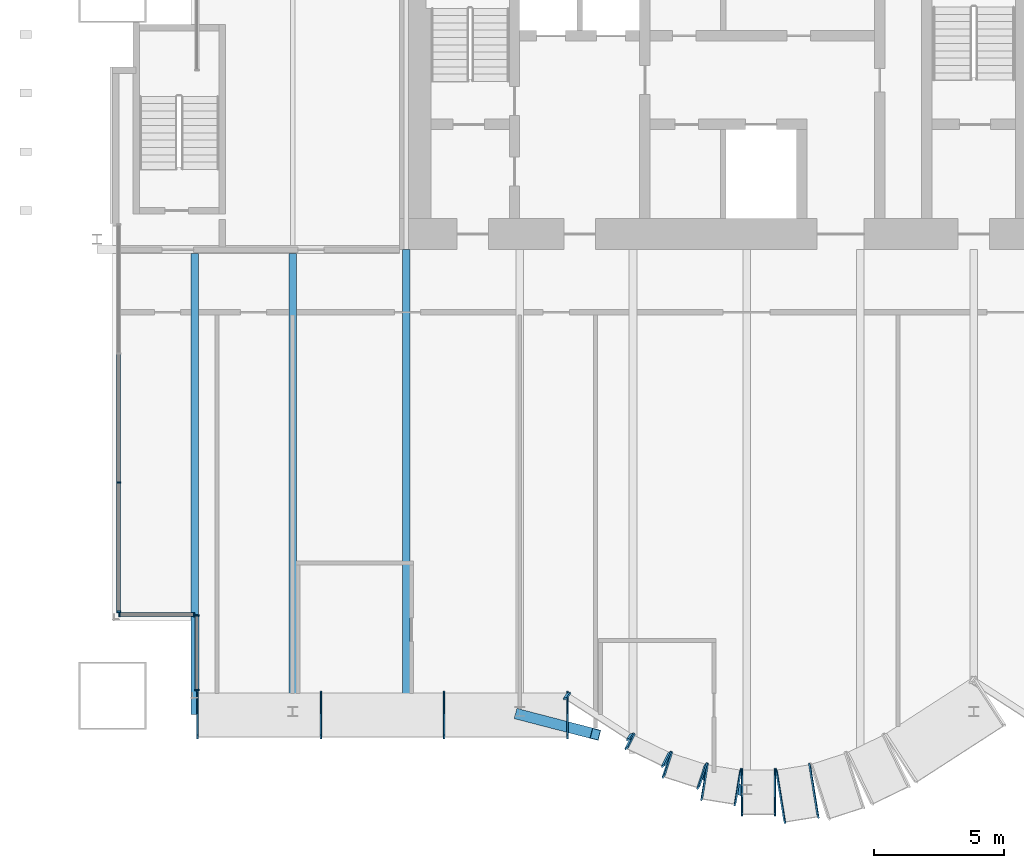
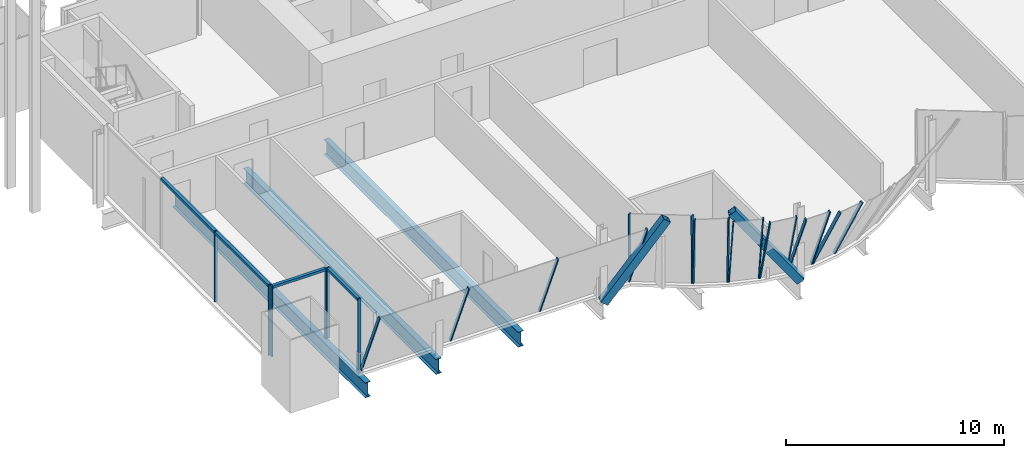
# One storey, part 5 of 29: 28 members, 3 beams, 10 elements without a shape of their own.
"""IFC4 building model written with IfcOpenShell, lengths in metres."""

from ifc_helpers import new_model, si_unit, direction, frame, origin, origin_2d, place, context, subcontext, project, spatial, rectangle, hollow_rectangle, i_section, extrude, material, material_profile, profile_set, type_object, element, aggregate, save


model = new_model("IFC4")

# Units and contexts
model_context = context("Model", 3, precision=1e-05, world=origin(), true_north=direction((0.0, 1.0)))
body_context = subcontext(model_context, "Body", "Model", "MODEL_VIEW")
ifc_project = project(units=[si_unit("LENGTHUNIT", "METRE"), si_unit("AREAUNIT", "SQUARE_METRE"), si_unit("VOLUMEUNIT", "CUBIC_METRE"), si_unit("PLANEANGLEUNIT", "RADIAN"), si_unit("MASSUNIT", "GRAM", prefix="KILO")], contexts=[model_context])

# Site, building, storey
site_placement = place(None, origin())
site = spatial("IfcSite", under=ifc_project, at=site_placement, CompositionType="ELEMENT")
building_placement = place(site_placement, origin())
building = spatial("IfcBuilding", under=site, at=building_placement, Name="Bicima Exchange Tower", CompositionType="ELEMENT")
storey_placement = place(building_placement, frame((0.0, 0.0, 190.89990234375)))
storey = spatial("IfcBuildingStorey", under=building, at=storey_placement, Name="L42", CompositionType="ELEMENT", Elevation=190.89990234375)

# Curtain wall, members
ifc_material_1 = material(Name="Anodised bronze aluminium", Category="aluminium")
curtain_wall_type_1 = type_object("IfcCurtainWallType", Name="End face glass wall", PredefinedType="NOTDEFINED", material=ifc_material_1)
curtain_wall_1_placement = place(storey_placement, origin())
curtain_wall_1 = element("IfcCurtainWall", 1, at=curtain_wall_1_placement, inside=storey, type_object=curtain_wall_type_1, Name="End face glass wall L42 run 6", PredefinedType="NOTDEFINED")
ifc_material_profile_1 = material_profile(ifc_material_1, rectangle(XDim=0.159912109375, YDim=0.06005859375, at=origin_2d()))
ifc_profile_set_1 = profile_set([ifc_material_profile_1], Name="Anodised bronze aluminium")
member_type_1 = type_object("IfcMemberType", Name="End face glass wall mullion 60 x 160", PredefinedType="MULLION", material=ifc_profile_set_1)
member_1_placement = place(storey_placement, frame((-32.77001953125, -21.92724609375, 0.0), z_axis=(0.0, 0.0, 1.0), x_axis=(1.0, 0.0, 0.0)))
member_1 = element("IfcMember", 2, at=member_1_placement, type_object=member_type_1, Name="End face glass wall mullion 3", PredefinedType="MULLION", context=body_context, shape_type="SweptSolid", body=[
    extrude(rectangle(XDim=0.159912109375, YDim=0.06005859375, at=origin_2d()), origin(), (0.0, 0.0, 1.0), 3.9501953125),
])
member_2_placement = place(storey_placement, frame((-32.77001953125, -26.8759765625, 0.0), z_axis=(0.0, 0.0, 1.0), x_axis=(1.0, 0.0, 0.0)))
member_2 = element("IfcMember", 3, at=member_2_placement, type_object=member_type_1, Name="End face glass wall mullion 4", PredefinedType="MULLION", context=body_context, shape_type="SweptSolid", body=[
    extrude(rectangle(XDim=0.159912109375, YDim=0.06005859375, at=origin_2d()), origin(), (0.0, 0.0, 1.0), 3.9501953125),
])
ifc_material_profile_2 = material_profile(ifc_material_1, rectangle(XDim=0.159912109375, YDim=0.139892578125, at=origin_2d()))
ifc_profile_set_2 = profile_set([ifc_material_profile_2], Name="Anodised bronze aluminium")
member_type_2 = type_object("IfcMemberType", Name="End face glass wall transom 140 x 160", PredefinedType="USERDEFINED", material=ifc_profile_set_2)
member_3_placement = place(storey_placement, frame((-32.77001953125, -17.0087890625, 3.880126953125), z_axis=(0.0, -1.0, 0.0), x_axis=(1.0, 0.0, 0.0)))
member_3 = element("IfcMember", 4, at=member_3_placement, type_object=member_type_2, Name="End face glass wall transom 2.1", ObjectType="TRANSOM", PredefinedType="USERDEFINED", context=body_context, shape_type="SweptSolid", body=[
    extrude(rectangle(XDim=0.159912109375, YDim=0.139892578125, at=origin_2d()), origin(), (0.0, 0.0, 1.0), 4.888427734375),
])
member_4_placement = place(storey_placement, frame((-32.77001953125, -21.957275390625, 3.880126953125), z_axis=(0.0, -1.0, 0.0), x_axis=(1.0, 0.0, 0.0)))
member_4 = element("IfcMember", 5, at=member_4_placement, type_object=member_type_2, Name="End face glass wall transom 3.1", ObjectType="TRANSOM", PredefinedType="USERDEFINED", context=body_context, shape_type="SweptSolid", body=[
    extrude(rectangle(XDim=0.159912109375, YDim=0.139892578125, at=origin_2d()), origin(), (0.0, 0.0, 1.0), 4.888671875),
])
aggregate(curtain_wall_1, [member_1, member_2, member_3, member_4])

# Beams
ifc_material_2 = material(Name="Steel ASTM A992 Gr 50", Category="steel")
ifc_material_profile_3 = material_profile(ifc_material_2, i_section(OverallWidth=0.2919921875, OverallDepth=0.835693359375, WebThickness=0.013916015625, FlangeThickness=0.018798828125, at=origin_2d()))
ifc_profile_set_3 = profile_set([ifc_material_profile_3], Name="Steel ASTM A992 Gr 50")
beam_type = type_object("IfcBeamType", Name="Floor beam W33x118", PredefinedType="JOIST", material=ifc_profile_set_3)
for number, where, z_axis, x_axis, name in (
    (6, (-29.85009765625, -13.15234375, -0.567626953125), (0.0, -1.0, 0.0), (1.0, 0.0, 0.0), "Floor beam"),
    (7, (-26.10009765625, -13.15234375, -0.567626953125), (0.0, -1.0, 0.0), (1.0, 0.0, 0.0), "Floor beam"),
):
    element("IfcBeam", number, at=place(storey_placement, frame(where, z_axis=z_axis, x_axis=x_axis)), inside=storey, type_object=beam_type, Name=name, PredefinedType="JOIST", context=body_context, shape_type="SweptSolid", body=[
        extrude(i_section(OverallWidth=0.2919921875, OverallDepth=0.835693359375, WebThickness=0.013916015625, FlangeThickness=0.018798828125, at=origin_2d()), origin(), (0.0, 0.0, 1.0), 17.66357421875),
    ])
beam_placement = place(storey_placement, frame((-21.75, -13.0, -0.567626953125), z_axis=(0.0, -1.0, 0.0), x_axis=(1.0, 0.0, 0.0)))
element("IfcBeam", 8, at=beam_placement, inside=storey, type_object=beam_type, Name="Floor beam", PredefinedType="JOIST", context=body_context, shape_type="SweptSolid", body=[
    extrude(i_section(OverallWidth=0.2919921875, OverallDepth=0.835693359375, WebThickness=0.013916015625, FlangeThickness=0.018798828125, at=origin_2d()), origin(), (0.0, 0.0, 1.0), 17.81591796875),
])

# Curtain wall, members
curtain_wall_type_2 = type_object("IfcCurtainWallType", Name="Front glass wall", PredefinedType="NOTDEFINED", material=ifc_material_1)
curtain_wall_2_placement = place(storey_placement, origin())
curtain_wall_2 = element("IfcCurtainWall", 9, at=curtain_wall_2_placement, inside=storey, type_object=curtain_wall_type_2, Name="Front glass wall L42 run 7", PredefinedType="NOTDEFINED")
member_type_3 = type_object("IfcMemberType", Name="Front glass wall mullion 60 x 160", PredefinedType="MULLION", material=ifc_profile_set_1)
member_5_placement = place(storey_placement, frame((-32.739990234375, -26.986083984375, 0.0), z_axis=(0.0, 0.0, 1.0), x_axis=(0.0, 1.0, 0.0)))
member_5 = element("IfcMember", 10, at=member_5_placement, type_object=member_type_3, Name="Front glass wall mullion 1", PredefinedType="MULLION", context=body_context, shape_type="SweptSolid", body=[
    extrude(rectangle(XDim=0.159912109375, YDim=0.06005859375, at=origin_2d()), origin(), (0.0, 0.0, 1.0), 3.9501953125),
])
member_6_placement = place(storey_placement, frame((-29.8798828125, -26.986083984375, 0.0), z_axis=(0.0, 0.0, 1.0), x_axis=(0.0, 1.0, 0.0)))
member_6 = element("IfcMember", 11, at=member_6_placement, type_object=member_type_3, Name="Front glass wall mullion 2", PredefinedType="MULLION", context=body_context, shape_type="SweptSolid", body=[
    extrude(rectangle(XDim=0.159912109375, YDim=0.06005859375, at=origin_2d()), origin(), (0.0, 0.0, 1.0), 3.9501953125),
])

curtain_wall_3_placement = place(storey_placement, origin())
curtain_wall_3 = element("IfcCurtainWall", 12, at=curtain_wall_3_placement, inside=storey, type_object=curtain_wall_type_2, Name="Front glass wall L42 run 8", PredefinedType="NOTDEFINED")
member_7_placement = place(storey_placement, frame((-29.77001953125, -27.01611328125, 0.0), z_axis=(0.0, 0.0, 1.0), x_axis=(1.0, 0.0, 0.0)))
member_7 = element("IfcMember", 13, at=member_7_placement, type_object=member_type_3, Name="Front glass wall mullion 1", PredefinedType="MULLION", context=body_context, shape_type="SweptSolid", body=[
    extrude(rectangle(XDim=0.159912109375, YDim=0.06005859375, at=origin_2d()), origin(), (0.0, 0.0, 1.0), 3.9501953125),
])
member_8_placement = place(storey_placement, frame((-29.77001953125, -29.8759765625, 0.0), z_axis=(0.0, 0.0, 1.0), x_axis=(1.0, 0.0, 0.0)))
member_8 = element("IfcMember", 14, at=member_8_placement, type_object=member_type_3, Name="Front glass wall mullion 2", PredefinedType="MULLION", context=body_context, shape_type="SweptSolid", body=[
    extrude(rectangle(XDim=0.159912109375, YDim=0.06005859375, at=origin_2d()), origin(), (0.0, 0.0, 1.0), 3.9501953125),
])

curtain_wall_4_placement = place(storey_placement, origin())
curtain_wall_4 = element("IfcCurtainWall", 15, at=curtain_wall_4_placement, inside=storey, type_object=curtain_wall_type_2, Name="Canted glass wall L42 35.1", PredefinedType="NOTDEFINED")
member_9_placement = place(storey_placement, frame((-29.739990234375, -29.986083984375, 0.0), z_axis=(0.0, -0.392560507207, 0.91972618109), x_axis=(0.0, 0.91972618109, 0.392560507207)))
member_9 = element("IfcMember", 16, at=member_9_placement, type_object=member_type_3, Name="Canted glass mullion 1", PredefinedType="MULLION", context=body_context, shape_type="SweptSolid", body=[
    extrude(rectangle(XDim=0.159912109375, YDim=0.06005859375, at=origin_2d()), origin(), (0.0, 0.0, 1.0), 4.294921875),
])
member_10_placement = place(storey_placement, frame((-25.01904296875, -29.986083984375, 0.0), z_axis=(0.0, -0.392560507207, 0.91972618109), x_axis=(0.0, 0.91972618109, 0.392560507207)))
member_10 = element("IfcMember", 17, at=member_10_placement, type_object=member_type_3, Name="Canted glass mullion 2", PredefinedType="MULLION", context=body_context, shape_type="SweptSolid", body=[
    extrude(rectangle(XDim=0.159912109375, YDim=0.06005859375, at=origin_2d()), origin(), (0.0, 0.0, 1.0), 4.294921875),
])
member_11_placement = place(storey_placement, frame((-20.2978515625, -29.986083984375, 0.0), z_axis=(0.0, -0.392560507207, 0.91972618109), x_axis=(0.0, 0.91972618109, 0.392560507207)))
member_11 = element("IfcMember", 18, at=member_11_placement, type_object=member_type_3, Name="Canted glass mullion 3", PredefinedType="MULLION", context=body_context, shape_type="SweptSolid", body=[
    extrude(rectangle(XDim=0.159912109375, YDim=0.06005859375, at=origin_2d()), origin(), (0.0, 0.0, 1.0), 4.294921875),
])
member_12_placement = place(storey_placement, frame((-15.576904296875, -29.986083984375, 0.0), z_axis=(0.0, -0.392560507207, 0.91972618109), x_axis=(0.0, 0.91972618109, 0.392560507207)))
member_12 = element("IfcMember", 19, at=member_12_placement, type_object=member_type_3, Name="Canted glass mullion 4", PredefinedType="MULLION", context=body_context, shape_type="SweptSolid", body=[
    extrude(rectangle(XDim=0.159912109375, YDim=0.06005859375, at=origin_2d()), origin(), (0.0, 0.0, 1.0), 4.294921875),
])
aggregate(curtain_wall_4, [member_9, member_10, member_11, member_12])

curtain_wall_5_placement = place(storey_placement, origin())
curtain_wall_5 = element("IfcCurtainWall", 20, at=curtain_wall_5_placement, inside=storey, type_object=curtain_wall_type_2, Name="Canted glass wall L42 36.1", PredefinedType="NOTDEFINED")
member_13_placement = place(storey_placement, frame((-15.521728515625, -30.002197265625, 0.0), z_axis=(-0.032820058759, -0.050710692293, 0.998173967518), x_axis=(0.911231260738, 0.40875944388, 0.050727768454)))
member_13 = element("IfcMember", 21, at=member_13_placement, type_object=member_type_3, Name="Canted glass mullion 1", PredefinedType="MULLION", context=body_context, shape_type="SweptSolid", body=[
    extrude(rectangle(XDim=0.159912109375, YDim=0.06005859375, at=origin_2d()), origin(), (0.0, 0.0, 1.0), 3.95751953125),
])
member_14_placement = place(storey_placement, frame((-13.1044921875, -31.56494140625, 0.0), z_axis=(-0.032820058759, -0.050710692293, 0.998173967518), x_axis=(0.911231260738, 0.40875944388, 0.050727768454)))
member_14 = element("IfcMember", 22, at=member_14_placement, type_object=member_type_3, Name="Canted glass mullion 2", PredefinedType="MULLION", context=body_context, shape_type="SweptSolid", body=[
    extrude(rectangle(XDim=0.159912109375, YDim=0.06005859375, at=origin_2d()), origin(), (0.0, 0.0, 1.0), 3.95751953125),
])
aggregate(curtain_wall_5, [member_13, member_14])

curtain_wall_6_placement = place(storey_placement, origin())
curtain_wall_6 = element("IfcCurtainWall", 23, at=curtain_wall_6_placement, inside=storey, type_object=curtain_wall_type_2, Name="Canted glass wall L42 37.1", PredefinedType="NOTDEFINED")
member_15_placement = place(storey_placement, frame((-13.052490234375, -31.59423828125, 0.0), z_axis=(-0.062452607082, -0.128819971122, 0.989699493235), x_axis=(0.781051508244, 0.611035322991, 0.128819158228)))
member_15 = element("IfcMember", 24, at=member_15_placement, type_object=member_type_3, Name="Canted glass mullion 1", PredefinedType="MULLION", context=body_context, shape_type="SweptSolid", body=[
    extrude(rectangle(XDim=0.159912109375, YDim=0.06005859375, at=origin_2d()), origin(), (0.0, 0.0, 1.0), 3.9912109375),
])
member_16_placement = place(storey_placement, frame((-11.6533203125, -32.272705078125, 0.0), z_axis=(-0.062452607082, -0.128819971122, 0.989699493235), x_axis=(0.781051508244, 0.611035322991, 0.128819158228)))
member_16 = element("IfcMember", 25, at=member_16_placement, type_object=member_type_3, Name="Canted glass mullion 2", PredefinedType="MULLION", context=body_context, shape_type="SweptSolid", body=[
    extrude(rectangle(XDim=0.159912109375, YDim=0.06005859375, at=origin_2d()), origin(), (0.0, 0.0, 1.0), 3.9912109375),
])
aggregate(curtain_wall_6, [member_15, member_16])

curtain_wall_7_placement = place(storey_placement, origin())
curtain_wall_7 = element("IfcCurtainWall", 26, at=curtain_wall_7_placement, inside=storey, type_object=curtain_wall_type_2, Name="Canted glass wall L42 38.1", PredefinedType="NOTDEFINED")
member_17_placement = place(storey_placement, frame((-11.59765625, -32.294921875, 0.0), z_axis=(-0.071018549868, -0.219730551413, 0.972972173472), x_axis=(0.577402534066, 0.786337207926, 0.219727351699)))
member_17 = element("IfcMember", 27, at=member_17_placement, type_object=member_type_3, Name="Canted glass mullion 1", PredefinedType="MULLION", context=body_context, shape_type="SweptSolid", body=[
    extrude(rectangle(XDim=0.159912109375, YDim=0.06005859375, at=origin_2d()), origin(), (0.0, 0.0, 1.0), 4.059814453125),
])
member_18_placement = place(storey_placement, frame((-10.269775390625, -32.72412109375, 0.0), z_axis=(-0.071018549868, -0.219730551413, 0.972972173472), x_axis=(0.577402534066, 0.786337207926, 0.219727351699)))
member_18 = element("IfcMember", 28, at=member_18_placement, type_object=member_type_3, Name="Canted glass mullion 2", PredefinedType="MULLION", context=body_context, shape_type="SweptSolid", body=[
    extrude(rectangle(XDim=0.159912109375, YDim=0.06005859375, at=origin_2d()), origin(), (0.0, 0.0, 1.0), 4.059814453125),
])
aggregate(curtain_wall_7, [member_17, member_18])

curtain_wall_8_placement = place(storey_placement, origin())
curtain_wall_8 = element("IfcCurtainWall", 29, at=curtain_wall_8_placement, inside=storey, type_object=curtain_wall_type_2, Name="Canted glass wall L42 39.1", PredefinedType="NOTDEFINED")
member_19_placement = place(storey_placement, frame((-10.211669921875, -32.73828125, 0.0), z_axis=(-0.050535241989, -0.312532917682, 0.948561734777), x_axis=(0.306995075409, 0.89893019655, 0.312535638616)))
member_19 = element("IfcMember", 30, at=member_19_placement, type_object=member_type_3, Name="Canted glass mullion 1", PredefinedType="MULLION", context=body_context, shape_type="SweptSolid", body=[
    extrude(rectangle(XDim=0.159912109375, YDim=0.06005859375, at=origin_2d()), origin(), (0.0, 0.0, 1.0), 4.164306640625),
])
member_20_placement = place(storey_placement, frame((-8.93701171875, -32.944091796875, 0.0), z_axis=(-0.050534315999, -0.312585815439, 0.948544353677), x_axis=(0.306965770827, 0.898922330314, 0.312587043244)))
member_20 = element("IfcMember", 31, at=member_20_placement, type_object=member_type_3, Name="Canted glass mullion 2", PredefinedType="MULLION", context=body_context, shape_type="SweptSolid", body=[
    extrude(rectangle(XDim=0.159912109375, YDim=0.06005859375, at=origin_2d()), origin(), (0.0, 0.0, 1.0), 4.16455078125),
])
aggregate(curtain_wall_8, [member_19, member_20])

curtain_wall_9_placement = place(storey_placement, origin())
curtain_wall_9 = element("IfcCurtainWall", 32, at=curtain_wall_9_placement, inside=storey, type_object=curtain_wall_type_2, Name="Canted glass wall L42 40.1", PredefinedType="NOTDEFINED")
member_21_placement = place(storey_placement, frame((-8.87744140625, -32.948974609375, 0.0), z_axis=(0.0, -0.392560507207, 0.91972618109), x_axis=(0.0, 0.91972618109, 0.392560507207)))
member_21 = element("IfcMember", 33, at=member_21_placement, type_object=member_type_3, Name="Canted glass mullion 1", PredefinedType="MULLION", context=body_context, shape_type="SweptSolid", body=[
    extrude(rectangle(XDim=0.159912109375, YDim=0.06005859375, at=origin_2d()), origin(), (0.0, 0.0, 1.0), 4.294921875),
])
member_22_placement = place(storey_placement, frame((-7.62255859375, -32.948974609375, 0.0), z_axis=(0.0, -0.392560507207, 0.91972618109), x_axis=(0.0, 0.91972618109, 0.392560507207)))
member_22 = element("IfcMember", 34, at=member_22_placement, type_object=member_type_3, Name="Canted glass mullion 2", PredefinedType="MULLION", context=body_context, shape_type="SweptSolid", body=[
    extrude(rectangle(XDim=0.159912109375, YDim=0.06005859375, at=origin_2d()), origin(), (0.0, 0.0, 1.0), 4.294921875),
])
aggregate(curtain_wall_9, [member_21, member_22])

curtain_wall_10_placement = place(storey_placement, origin())
curtain_wall_10 = element("IfcCurtainWall", 35, at=curtain_wall_10_placement, inside=storey, type_object=curtain_wall_type_2, Name="Canted glass wall L42 41.1", PredefinedType="NOTDEFINED")
member_23_placement = place(storey_placement, frame((-7.56298828125, -32.944091796875, 0.0), z_axis=(0.072377237493, -0.447758419774, 0.891220473853), x_axis=(-0.297916477124, 0.843064635547, 0.447758632466)))
member_23 = element("IfcMember", 36, at=member_23_placement, type_object=member_type_3, Name="Canted glass mullion 1", PredefinedType="MULLION", context=body_context, shape_type="SweptSolid", body=[
    extrude(rectangle(XDim=0.159912109375, YDim=0.06005859375, at=origin_2d()), origin(), (0.0, 0.0, 1.0), 4.432373046875),
])
member_24_placement = place(storey_placement, frame((-6.288330078125, -32.73828125, 0.0), z_axis=(0.072379022508, -0.447714379714, 0.891242453712), x_axis=(-0.297936279173, 0.843080281656, 0.447715995064)))
member_24 = element("IfcMember", 37, at=member_24_placement, type_object=member_type_3, Name="Canted glass mullion 2", PredefinedType="MULLION", context=body_context, shape_type="SweptSolid", body=[
    extrude(rectangle(XDim=0.159912109375, YDim=0.06005859375, at=origin_2d()), origin(), (0.0, 0.0, 1.0), 4.43212890625),
])
aggregate(curtain_wall_10, [member_23, member_24])

# Member
member_type_4 = type_object("IfcMemberType", Name="Front glass wall transom 140 x 160", PredefinedType="USERDEFINED", material=ifc_profile_set_2)
member_25_placement = place(storey_placement, frame((-32.7099609375, -26.986083984375, 3.880126953125), z_axis=(1.0, 0.0, 0.0), x_axis=(0.0, 1.0, 0.0)))
member_25 = element("IfcMember", 38, at=member_25_placement, type_object=member_type_4, Name="Front glass wall transom 1.1", ObjectType="TRANSOM", PredefinedType="USERDEFINED", context=body_context, shape_type="SweptSolid", body=[
    extrude(rectangle(XDim=0.159912109375, YDim=0.139892578125, at=origin_2d()), origin(), (0.0, 0.0, 1.0), 2.800048828125),
])

aggregate(curtain_wall_2, [member_5, member_6, member_25])

member_26_placement = place(storey_placement, frame((-29.77001953125, -27.0458984375, 3.880126953125), z_axis=(0.0, -1.0, 0.0), x_axis=(1.0, 0.0, 0.0)))
member_26 = element("IfcMember", 39, at=member_26_placement, type_object=member_type_4, Name="Front glass wall transom 1.1", ObjectType="TRANSOM", PredefinedType="USERDEFINED", context=body_context, shape_type="SweptSolid", body=[
    extrude(rectangle(XDim=0.159912109375, YDim=0.139892578125, at=origin_2d()), origin(), (0.0, 0.0, 1.0), 2.800048828125),
])

aggregate(curtain_wall_3, [member_7, member_8, member_26])

# Members
ifc_material_3 = material(Name="Steel ASTM A572 Gr 50", Category="steel")
ifc_material_profile_4 = material_profile(ifc_material_3, hollow_rectangle(XDim=0.406494140625, YDim=0.406494140625, WallThickness=0.0146484375, at=origin_2d()))
ifc_profile_set_4 = profile_set([ifc_material_profile_4], Name="Steel ASTM A572 Gr 50")
member_type_5 = type_object("IfcMemberType", Name="Mega brace HSS16x16x5/8", PredefinedType="BRACE", material=ifc_profile_set_4)
member_27_placement = place(storey_placement, frame((-17.39990234375, -30.81591796875, 0.0), z_axis=(0.571056012695, -0.148316871457, 0.807401471392), x_axis=(0.251383493766, 0.9678875653, 0.0)))
element("IfcMember", 40, at=member_27_placement, inside=storey, type_object=member_type_5, Name="Mega brace front", PredefinedType="BRACE", context=body_context, shape_type="SweptSolid", body=[
    extrude(hollow_rectangle(XDim=0.406494140625, YDim=0.406494140625, WallThickness=0.0146484375, at=origin_2d()), origin(), (0.0, 0.0, 1.0), 5.078125),
])
member_28_placement = place(storey_placement, frame((-8.699951171875, -33.80712890625, 0.0), z_axis=(-0.560607084875, 0.239929827385, 0.792561274804), x_axis=(-0.393461568723, -0.919341065078, 0.0)))
element("IfcMember", 41, at=member_28_placement, inside=storey, type_object=member_type_5, Name="Mega brace front", PredefinedType="BRACE", context=body_context, shape_type="SweptSolid", body=[
    extrude(hollow_rectangle(XDim=0.406494140625, YDim=0.406494140625, WallThickness=0.0146484375, at=origin_2d()), origin(), (0.0, 0.0, 1.0), 5.17333984375),
])

save(model, "model.ifc")
